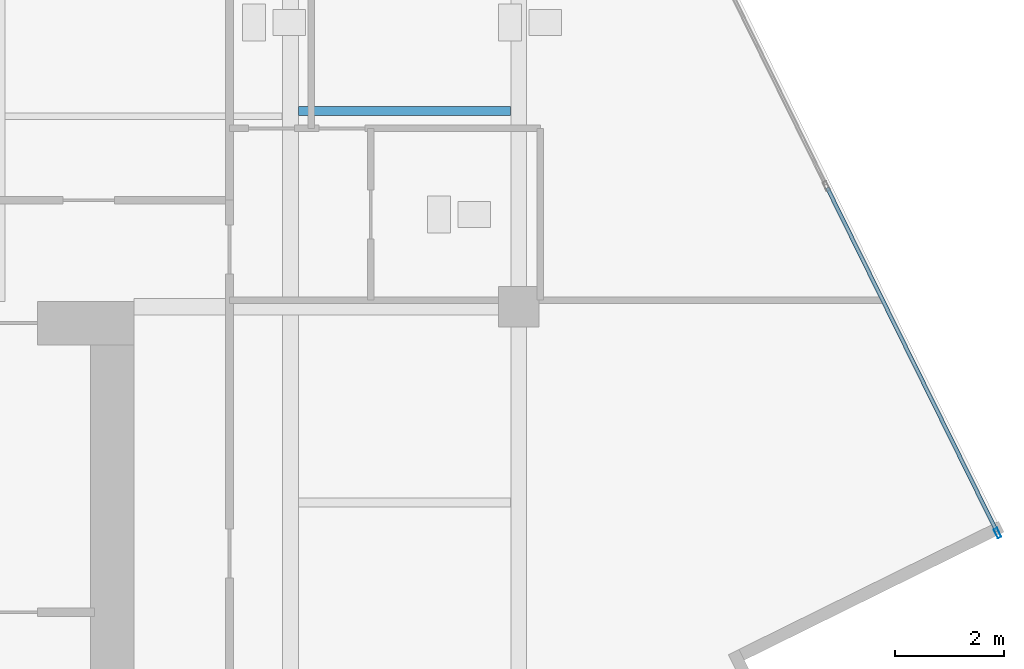
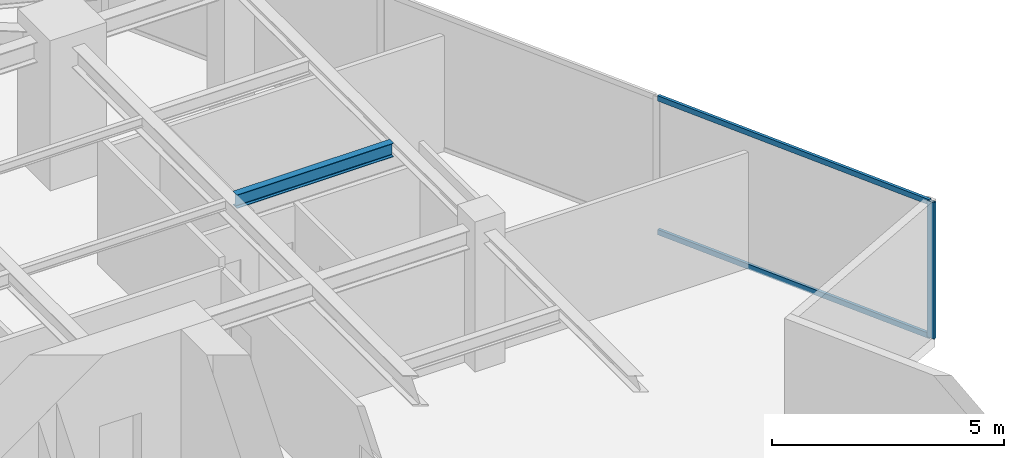
# One storey, part 10 of 22: 3 members, 1 beam, 1 element without a shape of its own.
"""IFC4 building model written with IfcOpenShell, lengths in metres."""

from ifc_helpers import new_model, si_unit, direction, frame, origin, origin_2d, place, context, subcontext, project, spatial, hollow_rectangle, i_section, extrude, source, transform, mapped, material, material_profile, profile_set, type_object, type_shapes, element, aggregate, save


model = new_model("IFC4")

# Units and contexts
model_context = context("Model", 3, precision=1e-05, world=origin(), true_north=direction((0.0, 1.0)))
body_context = subcontext(model_context, "Body", "Model", "MODEL_VIEW")
ifc_project = project(units=[si_unit("LENGTHUNIT", "METRE"), si_unit("AREAUNIT", "SQUARE_METRE"), si_unit("VOLUMEUNIT", "CUBIC_METRE"), si_unit("PLANEANGLEUNIT", "RADIAN"), si_unit("MASSUNIT", "GRAM", prefix="KILO")], contexts=[model_context])

# Site, building, storey
site_placement = place(None, origin())
site = spatial("IfcSite", under=ifc_project, at=site_placement, CompositionType="ELEMENT")
building_placement = place(site_placement, origin())
building = spatial("IfcBuilding", under=site, at=building_placement, Name="Krantzveldt Concourse Tower", CompositionType="ELEMENT")
storey_placement = place(building_placement, frame((0.0, 0.0, 314.800048828125)))
storey = spatial("IfcBuildingStorey", under=building, at=storey_placement, Name="L77", CompositionType="ELEMENT", Elevation=314.800048828125)

# Beam
ifc_material_1 = material(Name="Steel S355JR", Category="steel")
ifc_material_profile_1 = material_profile(ifc_material_1, i_section(OverallWidth=0.169921875, OverallDepth=0.360107421875, WebThickness=0.008056640625, FlangeThickness=0.0126953125, FilletRadius=0.01806640625, at=origin_2d()), Name="Steel S355JR", Category="steel")
ifc_profile_set_1 = profile_set([ifc_material_profile_1], Name="Steel S355JR - IPE 360")
beam_type = type_object("IfcBeamType", Name="BM-J-IPE360", PredefinedType="JOIST", material=ifc_profile_set_1)
shared_shape_1 = source(origin(), body_context, "Body", "SweptSolid", [
    extrude(i_section(OverallWidth=0.169921875, OverallDepth=0.360107421875, WebThickness=0.008056640625, FlangeThickness=0.0126953125, FilletRadius=0.01806640625, at=origin_2d()), origin(), (0.0, 0.0, 1.0), 3.900146484375),
])
type_shapes(beam_type, [shared_shape_1])
beam_placement = place(storey_placement, frame((46.949951171875, 30.300048828125, 3.409912109375), z_axis=(1.0, 0.0, 0.0), x_axis=(0.0, 1.0, 0.0)))
element("IfcBeam", 1, at=beam_placement, inside=storey, type_object=beam_type, Name="L77 Secondary Floor Joist JE-3", PredefinedType="JOIST", context=body_context, shape_type="MappedRepresentation", body=[
    mapped(shared_shape_1, transform((0.0, 0.0, 0.0), x_axis=(1.0, 0.0, 0.0), y_axis=(0.0, 1.0, 0.0), z_axis=(0.0, 0.0, 1.0), scale=1.0)),
])

# Curtain wall, members
ifc_material_2 = material(Name="Anodised aluminium 6063-T6", Category="aluminium")
curtain_wall_type = type_object("IfcCurtainWallType", Name="CW4", PredefinedType="USERDEFINED", material=ifc_material_2)
curtain_wall_placement = place(storey_placement, origin())
curtain_wall = element("IfcCurtainWall", 2, at=curtain_wall_placement, inside=storey, type_object=curtain_wall_type, Name="CW-L77-F10", ObjectType="UNITISED CURTAIN WALL", PredefinedType="USERDEFINED")
ifc_material_profile_2 = material_profile(ifc_material_2, hollow_rectangle(XDim=0.070068359375, YDim=0.179931640625, WallThickness=0.0048828125, at=origin_2d()), Name="Anodised aluminium 6063-T6", Category="aluminium")
ifc_profile_set_2 = profile_set([ifc_material_profile_2], Name="Anodised aluminium 6063-T6 - ALU-MULL 180x70x5")
member_type_1 = type_object("IfcMemberType", Name="CW-MUL-180", PredefinedType="MULLION", material=ifc_profile_set_2)
shared_shape_2 = source(origin(), body_context, "Body", "SweptSolid", [
    extrude(hollow_rectangle(XDim=0.070068359375, YDim=0.179931640625, WallThickness=0.0048828125, at=origin_2d()), origin(), (0.0, 0.0, 1.0), 3.58984375),
])
type_shapes(member_type_1, [shared_shape_2])
member_1_placement = place(storey_placement, frame((59.80712890625, 22.53515625, 0.0), z_axis=(0.0, 0.0, 1.0), x_axis=(-0.896872829457, -0.442288511927, 0.0)))
member_1 = element("IfcMember", 3, at=member_1_placement, type_object=member_type_1, Name="CW-Z56 mullion 1", PredefinedType="MULLION", context=body_context, shape_type="MappedRepresentation", body=[
    mapped(shared_shape_2, transform((0.0, 0.0, 0.0), x_axis=(1.0, 0.0, 0.0), y_axis=(0.0, 1.0, 0.0), z_axis=(0.0, 0.0, 1.0), scale=1.0)),
])
ifc_material_profile_3 = material_profile(ifc_material_2, hollow_rectangle(XDim=0.070068359375, YDim=0.139892578125, WallThickness=0.0048828125, at=origin_2d()), Name="Anodised aluminium 6063-T6", Category="aluminium")
ifc_profile_set_3 = profile_set([ifc_material_profile_3], Name="Anodised aluminium 6063-T6 - ALU-TRAN 140x70x5")
member_type_2 = type_object("IfcMemberType", Name="CW-TRN-150", PredefinedType="USERDEFINED", material=ifc_profile_set_3)
shared_shape_3 = source(origin(), body_context, "Body", "SweptSolid", [
    extrude(hollow_rectangle(XDim=0.070068359375, YDim=0.139892578125, WallThickness=0.0048828125, at=origin_2d()), origin(), (0.0, 0.0, 1.0), 7.044921875),
])
type_shapes(member_type_2, [shared_shape_3])
member_2_placement = place(storey_placement, frame((59.791748046875, 22.566650390625, 0.034912109375), z_axis=(-0.442299739391, 0.896867292599, 0.0), x_axis=(-0.896867292599, -0.442299739391, 0.0)))
member_2 = element("IfcMember", 4, at=member_2_placement, type_object=member_type_2, Name="CW-Z56 transom 1.1", ObjectType="TRANSOM", PredefinedType="USERDEFINED", context=body_context, shape_type="MappedRepresentation", body=[
    mapped(shared_shape_3, transform((0.0, 0.0, 0.0), x_axis=(1.0, 0.0, 0.0), y_axis=(0.0, 1.0, 0.0), z_axis=(0.0, 0.0, 1.0), scale=1.0)),
])
member_3_placement = place(storey_placement, frame((59.791748046875, 22.566650390625, 3.554931640625), z_axis=(-0.442299739391, 0.896867292599, 0.0), x_axis=(-0.896867292599, -0.442299739391, 0.0)))
member_3 = element("IfcMember", 5, at=member_3_placement, type_object=member_type_2, Name="CW-Z56 transom 1.2", ObjectType="TRANSOM", PredefinedType="USERDEFINED", context=body_context, shape_type="MappedRepresentation", body=[
    mapped(shared_shape_3, transform((0.0, 0.0, 0.0), x_axis=(1.0, 0.0, 0.0), y_axis=(0.0, 1.0, 0.0), z_axis=(0.0, 0.0, 1.0), scale=1.0)),
])
aggregate(curtain_wall, [member_1, member_2, member_3])

save(model, "model.ifc")
